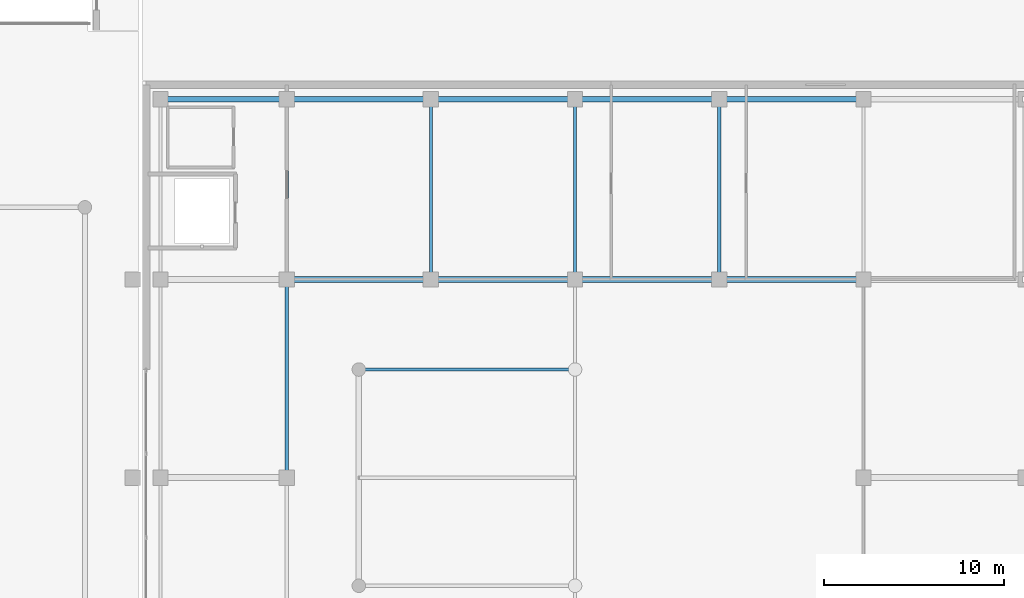
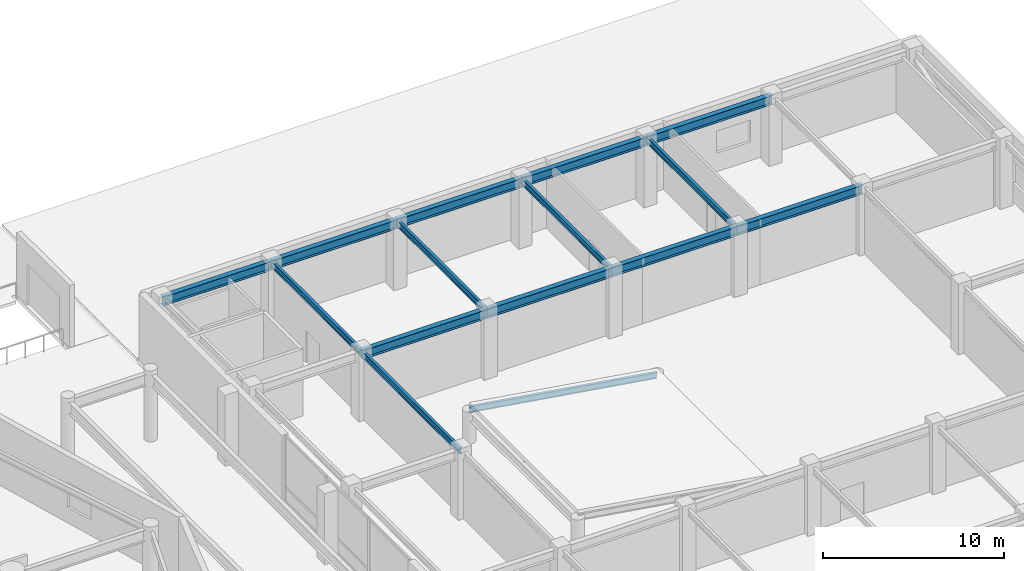
# One storey, part 17 of 35: 15 beams.
"""IFC4 building model written with IfcOpenShell, lengths in metres."""

from ifc_helpers import new_model, si_unit, direction, frame, origin, origin_2d, place, context, subcontext, project, spatial, i_section, extrude, material, material_profile, profile_set, type_object, element, save


model = new_model("IFC4")

# Units and contexts
model_context = context("Model", 3, precision=1e-05, world=origin(), true_north=direction((0.0, 1.0)))
body_context = subcontext(model_context, "Body", "Model", "MODEL_VIEW")
ifc_project = project(units=[si_unit("LENGTHUNIT", "METRE"), si_unit("AREAUNIT", "SQUARE_METRE"), si_unit("VOLUMEUNIT", "CUBIC_METRE"), si_unit("PLANEANGLEUNIT", "RADIAN"), si_unit("MASSUNIT", "GRAM", prefix="KILO")], contexts=[model_context])

# Site, building, storey
site_placement = place(None, origin())
site = spatial("IfcSite", under=ifc_project, at=site_placement, CompositionType="ELEMENT")
building_placement = place(site_placement, origin())
building = spatial("IfcBuilding", under=site, at=building_placement, Name="Kazevale Care Tower and Concert Hall", CompositionType="ELEMENT")
storey_placement = place(building_placement, origin())
storey = spatial("IfcBuildingStorey", under=building, at=storey_placement, Name="L00", CompositionType="ELEMENT", Elevation=0.0)

# Beams
ifc_material = material(Name="Steel ASTM A572 Gr 50", Category="steel")
ifc_material_profile_1 = material_profile(ifc_material, i_section(OverallWidth=0.177978515625, OverallDepth=0.406982421875, WebThickness=0.0078125, FlangeThickness=0.0126953125, at=origin_2d()), Name="W410x60")
ifc_profile_set_1 = profile_set([ifc_material_profile_1], Name="Steel ASTM A572 Gr 50")
beam_type_1 = type_object("IfcBeamType", Name="Auditorium Raker Beam W410x60", PredefinedType="BEAM", material=ifc_profile_set_1)
beam_1_placement = place(storey_placement, frame((108.0, 42.0, 2.10009765625), z_axis=(0.988073278669, 0.0, -0.153984401746), x_axis=(0.0, 1.0, 0.0)))
element("IfcBeam", 1, at=beam_1_placement, inside=storey, type_object=beam_type_1, Name="beam:L00:raker:42", PredefinedType="BEAM", context=body_context, shape_type="SweptSolid", body=[
    extrude(i_section(OverallWidth=0.177978515625, OverallDepth=0.406982421875, WebThickness=0.0078125, FlangeThickness=0.0126953125, at=origin_2d()), origin(), (0.0, 0.0, 1.0), 12.144775390625),
])
ifc_material_profile_2 = material_profile(ifc_material, i_section(OverallWidth=0.323974609375, OverallDepth=0.611083984375, WebThickness=0.0126953125, FlangeThickness=0.01904296875, at=origin_2d()), Name="W610x155")
ifc_profile_set_2 = profile_set([ifc_material_profile_2], Name="Steel ASTM A572 Gr 50")
beam_type_2 = type_object("IfcBeamType", Name="Concert Hall Frame Girder W610x155", PredefinedType="BEAM", material=ifc_profile_set_2)
for number, where, z_axis, x_axis, name in (
    (2, (104.0, 47.0, 4.214599609375), (1.0, 0.0, 0.0), (0.0, 1.0, 0.0), "beam:L00:hx:104_47"),
    (3, (112.0, 47.0, 4.214599609375), (1.0, 0.0, 0.0), (0.0, 1.0, 0.0), "beam:L00:hx:112_47"),
    (4, (120.0, 47.0, 4.214599609375), (1.0, 0.0, 0.0), (0.0, 1.0, 0.0), "beam:L00:hx:120_47"),
    (5, (128.0, 47.0, 4.214599609375), (1.0, 0.0, 0.0), (0.0, 1.0, 0.0), "beam:L00:hx:128_47"),
):
    element("IfcBeam", number, at=place(storey_placement, frame(where, z_axis=z_axis, x_axis=x_axis)), inside=storey, type_object=beam_type_2, Name=name, PredefinedType="BEAM", context=body_context, shape_type="SweptSolid", body=[
        extrude(i_section(OverallWidth=0.323974609375, OverallDepth=0.611083984375, WebThickness=0.0126953125, FlangeThickness=0.01904296875, at=origin_2d()), origin(), (0.0, 0.0, 1.0), 8.0),
    ])
beam_2_placement = place(storey_placement, frame((97.0, 57.0, 4.214599609375), z_axis=(1.0, 0.0, 0.0), x_axis=(0.0, 1.0, 0.0)))
element("IfcBeam", 6, at=beam_2_placement, inside=storey, type_object=beam_type_2, Name="beam:L00:hx:97_57", PredefinedType="BEAM", context=body_context, shape_type="SweptSolid", body=[
    extrude(i_section(OverallWidth=0.323974609375, OverallDepth=0.611083984375, WebThickness=0.0126953125, FlangeThickness=0.01904296875, at=origin_2d()), origin(), (0.0, 0.0, 1.0), 7.0),
])
for number, where, z_axis, x_axis, name in (
    (7, (104.0, 57.0, 4.214599609375), (1.0, 0.0, 0.0), (0.0, 1.0, 0.0), "beam:L00:hx:104_57"),
    (8, (112.0, 57.0, 4.214599609375), (1.0, 0.0, 0.0), (0.0, 1.0, 0.0), "beam:L00:hx:112_57"),
    (9, (120.0, 57.0, 4.214599609375), (1.0, 0.0, 0.0), (0.0, 1.0, 0.0), "beam:L00:hx:120_57"),
    (10, (128.0, 57.0, 4.214599609375), (1.0, 0.0, 0.0), (0.0, 1.0, 0.0), "beam:L00:hx:128_57"),
):
    element("IfcBeam", number, at=place(storey_placement, frame(where, z_axis=z_axis, x_axis=x_axis)), inside=storey, type_object=beam_type_2, Name=name, PredefinedType="BEAM", context=body_context, shape_type="SweptSolid", body=[
        extrude(i_section(OverallWidth=0.323974609375, OverallDepth=0.611083984375, WebThickness=0.0126953125, FlangeThickness=0.01904296875, at=origin_2d()), origin(), (0.0, 0.0, 1.0), 8.0),
    ])
ifc_material_profile_3 = material_profile(ifc_material, i_section(OverallWidth=0.180908203125, OverallDepth=0.4169921875, WebThickness=0.010986328125, FlangeThickness=0.018310546875, at=origin_2d()), Name="W410x85")
ifc_profile_set_3 = profile_set([ifc_material_profile_3], Name="Steel ASTM A572 Gr 50")
beam_type_3 = type_object("IfcBeamType", Name="Concert Hall Secondary Beam W410x85", PredefinedType="BEAM", material=ifc_profile_set_3)
beam_3_placement = place(storey_placement, frame((104.0, 36.0, 4.3115234375), z_axis=(0.0, 1.0, 0.0), x_axis=(-1.0, 0.0, 0.0)))
element("IfcBeam", 11, at=beam_3_placement, inside=storey, type_object=beam_type_3, Name="beam:L00:hy:104_36", PredefinedType="BEAM", context=body_context, shape_type="SweptSolid", body=[
    extrude(i_section(OverallWidth=0.180908203125, OverallDepth=0.4169921875, WebThickness=0.010986328125, FlangeThickness=0.018310546875, at=origin_2d()), origin(), (0.0, 0.0, 1.0), 11.0),
])
for number, where, z_axis, x_axis, name in (
    (12, (104.0, 47.0, 4.3115234375), (0.0, 1.0, 0.0), (-1.0, 0.0, 0.0), "beam:L00:hy:104_47"),
    (13, (112.0, 47.0, 4.3115234375), (0.0, 1.0, 0.0), (-1.0, 0.0, 0.0), "beam:L00:hy:112_47"),
    (14, (120.0, 47.0, 4.3115234375), (0.0, 1.0, 0.0), (-1.0, 0.0, 0.0), "beam:L00:hy:120_47"),
    (15, (128.0, 47.0, 4.3115234375), (0.0, 1.0, 0.0), (-1.0, 0.0, 0.0), "beam:L00:hy:128_47"),
):
    element("IfcBeam", number, at=place(storey_placement, frame(where, z_axis=z_axis, x_axis=x_axis)), inside=storey, type_object=beam_type_3, Name=name, PredefinedType="BEAM", context=body_context, shape_type="SweptSolid", body=[
        extrude(i_section(OverallWidth=0.180908203125, OverallDepth=0.4169921875, WebThickness=0.010986328125, FlangeThickness=0.018310546875, at=origin_2d()), origin(), (0.0, 0.0, 1.0), 10.0),
    ])

save(model, "model.ifc")
